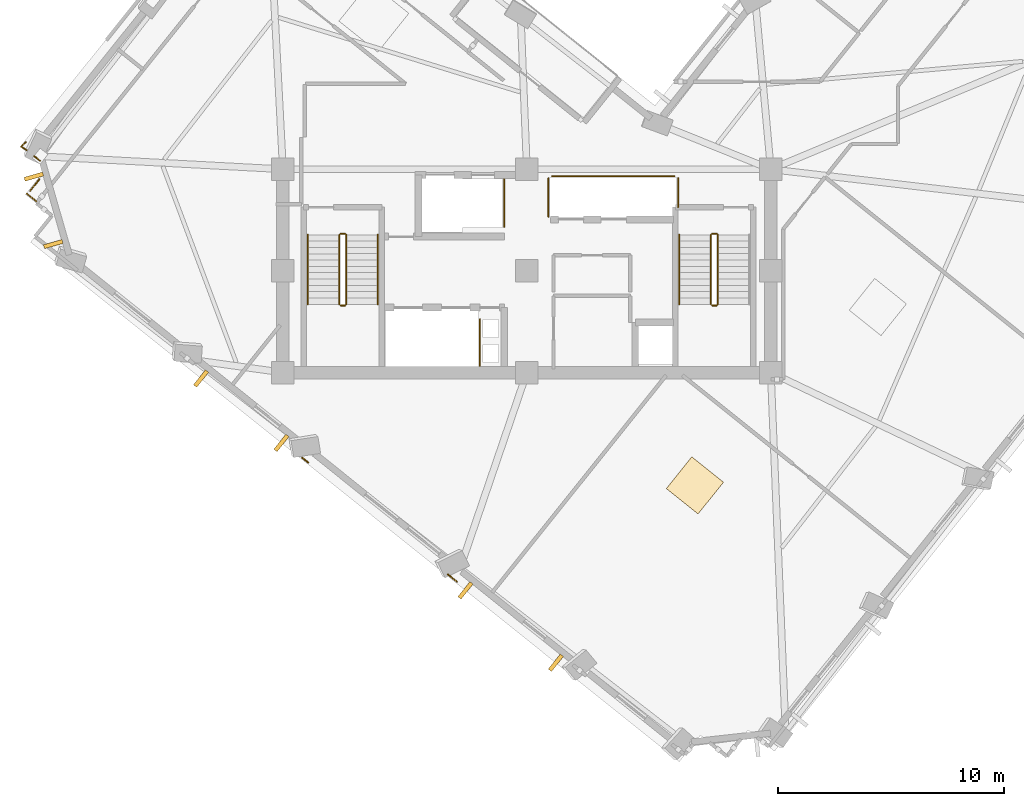
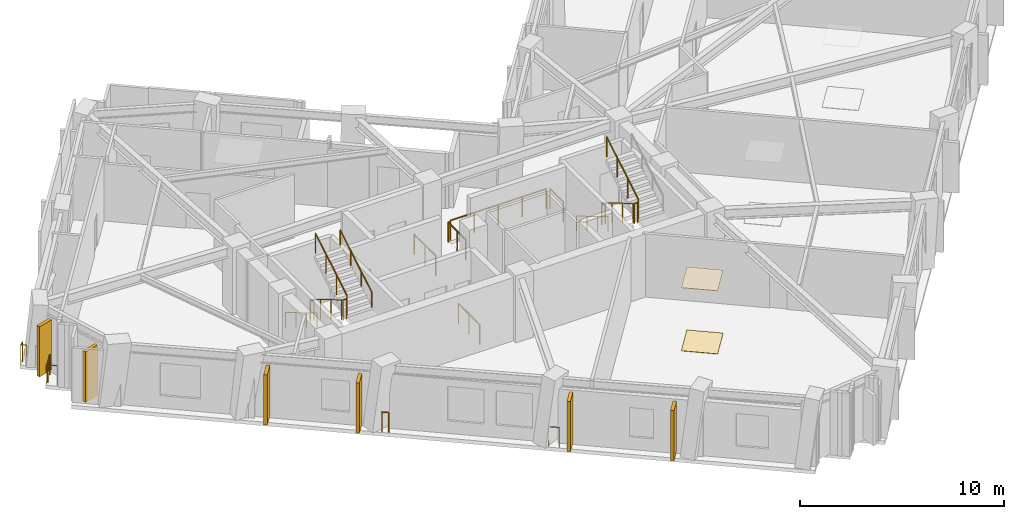
# One storey, part 8 of 10: 22 railings, 6 shading devices, 2 coverings.
"""IFC4 building model written with IfcOpenShell, lengths in metres."""

from ifc_helpers import new_model, si_unit, direction, frame, origin, origin_2d, place, context, subcontext, project, spatial, rectangle, circle, extrude, material, layer, layer_set, type_object, element, save


model = new_model("IFC4")

# Units and contexts
model_context = context("Model", 3, precision=1e-05, world=origin(), true_north=direction((0.0, 1.0)))
body_context = subcontext(model_context, "Body", "Model", "MODEL_VIEW")
ifc_project = project(units=[si_unit("LENGTHUNIT", "METRE"), si_unit("AREAUNIT", "SQUARE_METRE"), si_unit("VOLUMEUNIT", "CUBIC_METRE"), si_unit("PLANEANGLEUNIT", "RADIAN"), si_unit("MASSUNIT", "GRAM", prefix="KILO")], contexts=[model_context])

# Site, building, storey
site_placement = place(None, origin())
site = spatial("IfcSite", under=ifc_project, at=site_placement, CompositionType="ELEMENT")
building_placement = place(site_placement, origin())
building = spatial("IfcBuilding", under=site, at=building_placement, Name="Gaonmaruhae Medical Tower", CompositionType="ELEMENT")
storey_placement = place(building_placement, frame((0.0, 0.0, 243.199951171875)))
storey = spatial("IfcBuildingStorey", under=building, at=storey_placement, Name="L58", CompositionType="ELEMENT", Elevation=243.199951171875)

# Coverings
ifc_material_1 = material(Name="Acoustic mineral ceiling tile", Category="finish")
ifc_layer_1 = layer(ifc_material_1, 0.02490234375)
ifc_layer_set_1 = layer_set([ifc_layer_1], Name="Acoustic mineral ceiling tile")
covering_type_1 = type_object("IfcCoveringType", Name="CLG-01 Antimicrobial Acoustic Mineral Ceiling", PredefinedType="CEILING", material=ifc_layer_set_1)
covering_1_placement = place(storey_placement, frame((32.23974609375, 2.805419921875, 3.755126953125), z_axis=(0.0, 0.0, 1.0), x_axis=(0.625242656336, 0.780430407338, 0.0)))
element("IfcCovering", 1, at=covering_1_placement, inside=storey, type_object=covering_type_1, Name="L58 Clinical Room Acoustic Ceiling 2", PredefinedType="CEILING", context=body_context, shape_type="SweptSolid", body=[
    extrude(rectangle(XDim=1.800048828125, YDim=1.800048828125, at=origin_2d()), origin(), (0.0, 0.0, 1.0), 0.02490234375),
])
ifc_material_2 = material(Name="Seamless clinical vinyl flooring", Category="finish")
ifc_layer_2 = layer(ifc_material_2, 0.014892578125)
ifc_layer_set_2 = layer_set([ifc_layer_2], Name="Seamless clinical vinyl flooring")
covering_type_2 = type_object("IfcCoveringType", Name="FLR-01 Seamless Clinical Antistatic Vinyl Flooring", PredefinedType="FLOORING", material=ifc_layer_set_2)
covering_2_placement = place(storey_placement, frame((32.23974609375, 2.805419921875, 0.0), z_axis=(0.0, 0.0, 1.0), x_axis=(0.625242656336, 0.780430407338, 0.0)))
element("IfcCovering", 2, at=covering_2_placement, inside=storey, type_object=covering_type_2, Name="L58 Clinical Room Vinyl Flooring 2", PredefinedType="FLOORING", context=body_context, shape_type="SweptSolid", body=[
    extrude(rectangle(XDim=1.800048828125, YDim=1.800048828125, at=origin_2d()), origin(), (0.0, 0.0, 1.0), 0.014892578125),
])

# Railings
ifc_material_3 = material(Name="Stainless steel 316L and laminated safety glass", Category="steel")
ifc_layer_3 = layer(ifc_material_3, 0.080078125)
ifc_layer_set_3 = layer_set([ifc_layer_3], Name="Stainless steel 316L and laminated safety glass")
railing_type_1 = type_object("IfcRailingType", Name="GD-120 Outdoor Terrace Safety Glass & Steel Balustrade", PredefinedType="BALUSTRADE", material=ifc_layer_set_3)
railing_1_placement = place(storey_placement, frame((21.705078125, -1.458251953125, 0.0)))
element("IfcRailing", 3, at=railing_1_placement, inside=storey, type_object=railing_type_1, Name="L58 Perimeter Slab Edge Safety Balustrade 05", PredefinedType="BALUSTRADE", context=body_context, shape_type="SweptSolid", body=[
    extrude(circle(Radius=0.02392578125, at=origin_2d()), frame((0.0, 0.0, 1.17578125), z_axis=(-0.78045557179, 0.625211244671, 0.0), x_axis=(-0.625211244671, -0.78045557179, 0.0)), (0.0, 0.0, 1.0), 0.51904296875),
    extrude(circle(Radius=0.02099609375, at=origin_2d()), origin(), (0.0, 0.0, 1.0), 1.15185546875),
    extrude(circle(Radius=0.02099609375, at=origin_2d()), frame((-0.405029296875, 0.324462890625, 0.0)), (0.0, 0.0, 1.0), 1.15185546875),
])
railing_2_placement = place(storey_placement, frame((15.12060546875, 3.81689453125, 0.0)))
element("IfcRailing", 4, at=railing_2_placement, inside=storey, type_object=railing_type_1, Name="L58 Perimeter Slab Edge Safety Balustrade 06", PredefinedType="BALUSTRADE", context=body_context, shape_type="SweptSolid", body=[
    extrude(circle(Radius=0.02392578125, at=origin_2d()), frame((0.0, 0.0, 1.17578125), z_axis=(-0.780447962423, 0.625220743378, 0.0), x_axis=(-0.625220743378, -0.780447962423, 0.0)), (0.0, 0.0, 1.0), 0.33984375),
    extrude(circle(Radius=0.02099609375, at=origin_2d()), origin(), (0.0, 0.0, 1.0), 1.15185546875),
    extrude(circle(Radius=0.02099609375, at=origin_2d()), frame((-0.26513671875, 0.21240234375, 0.0)), (0.0, 0.0, 1.0), 1.15185546875),
])
railing_3_placement = place(storey_placement, frame((3.089599609375, 15.377685546875, 0.0)))
element("IfcRailing", 5, at=railing_3_placement, inside=storey, type_object=railing_type_1, Name="L58 Perimeter Slab Edge Safety Balustrade 07", PredefinedType="BALUSTRADE", context=body_context, shape_type="SweptSolid", body=[
    extrude(circle(Radius=0.02392578125, at=origin_2d()), frame((0.0, 0.0, 1.17578125), z_axis=(-0.780443260786, 0.625226612272, 0.0), x_axis=(-0.625226612272, -0.780443260786, 0.0)), (0.0, 0.0, 1.0), 0.56005859375),
    extrude(circle(Radius=0.02099609375, at=origin_2d()), origin(), (0.0, 0.0, 1.0), 1.15185546875),
    extrude(circle(Radius=0.02099609375, at=origin_2d()), frame((-0.43701171875, 0.35009765625, 0.0)), (0.0, 0.0, 1.0), 1.15185546875),
])
railing_4_placement = place(storey_placement, frame((2.80615234375, 15.839599609375, 0.0)))
element("IfcRailing", 6, at=railing_4_placement, inside=storey, type_object=railing_type_1, Name="L58 Perimeter Slab Edge Safety Balustrade 08", PredefinedType="BALUSTRADE", context=body_context, shape_type="SweptSolid", body=[
    extrude(circle(Radius=0.02392578125, at=origin_2d()), frame((0.0, 0.0, 1.17578125), z_axis=(0.625326577288, 0.780363166569, 0.0), x_axis=(-0.780363166569, 0.625326577288, 0.0)), (0.0, 0.0, 1.0), 0.659912109375),
    extrude(circle(Radius=0.02099609375, at=origin_2d()), origin(), (0.0, 0.0, 1.0), 1.15185546875),
    extrude(circle(Radius=0.02099609375, at=origin_2d()), frame((0.41259765625, 0.514892578125, 0.0)), (0.0, 0.0, 1.0), 1.15185546875),
])
railing_5_placement = place(storey_placement, frame((3.2470703125, 17.17333984375, 0.0)))
element("IfcRailing", 7, at=railing_5_placement, inside=storey, type_object=railing_type_1, Name="L58 Perimeter Slab Edge Safety Balustrade 09", PredefinedType="BALUSTRADE", context=body_context, shape_type="SweptSolid", body=[
    extrude(circle(Radius=0.02392578125, at=origin_2d()), frame((0.0, 0.0, 1.17578125), z_axis=(-0.780504338049, 0.625150364542, 0.0), x_axis=(-0.625150364542, -0.780504338049, 0.0)), (0.0, 0.0, 1.0), 0.326904296875),
    extrude(circle(Radius=0.02099609375, at=origin_2d()), origin(), (0.0, 0.0, 1.0), 1.15185546875),
    extrude(circle(Radius=0.02099609375, at=origin_2d()), frame((-0.255126953125, 0.204345703125, 0.0)), (0.0, 0.0, 1.0), 1.15185546875),
])
railing_6_placement = place(storey_placement, frame((2.65380859375, 17.648681640625, 0.0)))
element("IfcRailing", 8, at=railing_6_placement, inside=storey, type_object=railing_type_1, Name="L58 Perimeter Corner Safety Balustrade 13", PredefinedType="BALUSTRADE", context=body_context, shape_type="SweptSolid", body=[
    extrude(circle(Radius=0.02392578125, at=origin_2d()), frame((0.0, 0.0, 1.17578125), z_axis=(-0.850898582378, 0.525329993916, 0.0), x_axis=(-0.525329993916, -0.850898582378, 0.0)), (0.0, 0.0, 1.0), 0.287109375),
    extrude(circle(Radius=0.02392578125, at=origin_2d()), frame((-0.244384765625, 0.15087890625, 1.17578125), z_axis=(0.715978887819, 0.698121932185, 0.0), x_axis=(-0.698121932185, 0.715978887819, 0.0)), (0.0, 0.0, 1.0), 0.287109375),
    extrude(circle(Radius=0.02099609375, at=origin_2d()), origin(), (0.0, 0.0, 1.0), 1.15185546875),
    extrude(circle(Radius=0.02099609375, at=origin_2d()), frame((-0.244384765625, 0.15087890625, 0.0)), (0.0, 0.0, 1.0), 1.15185546875),
    extrude(circle(Radius=0.02099609375, at=origin_2d()), frame((-0.038818359375, 0.351318359375, 0.0)), (0.0, 0.0, 1.0), 1.15185546875),
])
ifc_material_4 = material(Name="Stainless steel 304 handrail", Category="steel")
railing_type_2 = type_object("IfcRailingType", Name="HR-092 Continuous Stainless Steel Stair Handrail", PredefinedType="HANDRAIL", material=ifc_material_4)
railing_7_placement = place(storey_placement, frame((15.10009765625, 13.89990234375, 0.166748046875)))
element("IfcRailing", 9, at=railing_7_placement, inside=storey, type_object=railing_type_2, Name="L58 ST-01 stair handrail 1", PredefinedType="HANDRAIL", context=body_context, shape_type="SweptSolid", body=[
    extrude(circle(Radius=0.02392578125, at=origin_2d()), frame((0.0, 0.0, 0.8759765625), z_axis=(0.0, -0.859290745958, 0.51148745235), x_axis=(1.0, 0.0, 0.0)), (0.0, 0.0, 1.0), 3.584228515625),
    extrude(circle(Radius=0.02099609375, at=origin_2d()), origin(), (0.0, 0.0, 1.0), 0.851806640625),
    extrude(circle(Radius=0.02099609375, at=origin_2d()), frame((0.0, -1.026611328125, 0.611083984375)), (0.0, 0.0, 1.0), 0.851806640625),
    extrude(circle(Radius=0.02099609375, at=origin_2d()), frame((0.0, -2.05322265625, 1.22216796875)), (0.0, 0.0, 1.0), 0.851806640625),
    extrude(circle(Radius=0.02099609375, at=origin_2d()), frame((0.0, -3.079833984375, 1.833251953125)), (0.0, 0.0, 1.0), 0.851806640625),
])
railing_8_placement = place(storey_placement, frame((18.199951171875, 10.820068359375, 2.166748046875)))
element("IfcRailing", 10, at=railing_8_placement, inside=storey, type_object=railing_type_2, Name="L58 ST-01 stair handrail 2", PredefinedType="HANDRAIL", context=body_context, shape_type="SweptSolid", body=[
    extrude(circle(Radius=0.02392578125, at=origin_2d()), frame((0.0, 0.0, 0.8759765625), z_axis=(0.0, 0.859290745958, 0.51148745235), x_axis=(-1.0, 0.0, 0.0)), (0.0, 0.0, 1.0), 3.584228515625),
    extrude(circle(Radius=0.02099609375, at=origin_2d()), origin(), (0.0, 0.0, 1.0), 0.851806640625),
    extrude(circle(Radius=0.02099609375, at=origin_2d()), frame((0.0, 1.026611328125, 0.611083984375)), (0.0, 0.0, 1.0), 0.851806640625),
    extrude(circle(Radius=0.02099609375, at=origin_2d()), frame((0.0, 2.05322265625, 1.22216796875)), (0.0, 0.0, 1.0), 0.851806640625),
    extrude(circle(Radius=0.02099609375, at=origin_2d()), frame((0.0, 3.079833984375, 1.833251953125)), (0.0, 0.0, 1.0), 0.851806640625),
])
railing_9_placement = place(storey_placement, frame((31.550048828125, 13.89990234375, 0.166748046875)))
element("IfcRailing", 11, at=railing_9_placement, inside=storey, type_object=railing_type_2, Name="L58 ST-02 stair handrail 1", PredefinedType="HANDRAIL", context=body_context, shape_type="SweptSolid", body=[
    extrude(circle(Radius=0.02392578125, at=origin_2d()), frame((0.0, 0.0, 0.8759765625), z_axis=(0.0, -0.859290745958, 0.51148745235), x_axis=(1.0, 0.0, 0.0)), (0.0, 0.0, 1.0), 3.584228515625),
    extrude(circle(Radius=0.02099609375, at=origin_2d()), origin(), (0.0, 0.0, 1.0), 0.851806640625),
    extrude(circle(Radius=0.02099609375, at=origin_2d()), frame((0.0, -1.026611328125, 0.611083984375)), (0.0, 0.0, 1.0), 0.851806640625),
    extrude(circle(Radius=0.02099609375, at=origin_2d()), frame((0.0, -2.05322265625, 1.22216796875)), (0.0, 0.0, 1.0), 0.851806640625),
    extrude(circle(Radius=0.02099609375, at=origin_2d()), frame((0.0, -3.079833984375, 1.833251953125)), (0.0, 0.0, 1.0), 0.851806640625),
])

# Shading devices
ifc_material_5 = material(Name="Pigmented coral precast concrete C45/55", Category="concrete")
shading_device_type = type_object("IfcShadingDeviceType", Name="SD-FIN1 Tower Vertical Coral Precast Shading Fin", PredefinedType="USERDEFINED", material=ifc_material_5)
for number, where, z_axis, x_axis, name in (
    (12, (3.83251953125, 13.487060546875, 0.132568359375), (0.0, 0.0, 1.0), (-0.277012801949, 0.960866227711, 0.0), "L58 Vertical Coral Precast Shading Fin N03"),
    (13, (2.9716796875, 16.4736328125, 0.132568359375), (0.0, 0.0, 1.0), (-0.277012801949, 0.960866227711, 0.0), "L58 Vertical Coral Precast Shading Fin N03B"),
    (14, (13.934814453125, 4.68359375, 0.132568359375), (0.0, 0.0, 1.0), (-0.780430407338, 0.625242656336, 0.0), "L58 Vertical Coral Precast Shading Fin W02"),
    (15, (10.37548828125, 7.53515625, 0.132568359375), (0.0, 0.0, 1.0), (-0.780430407338, 0.625242656336, 0.0), "L58 Vertical Coral Precast Shading Fin W02B"),
    (16, (26.082763671875, -5.048583984375, 0.12255859375), (0.0, 0.0, 1.0), (-0.780430407338, 0.625242656336, 0.0), "L58 Vertical Coral Precast Shading Fin W04"),
    (17, (22.0830078125, -1.84423828125, 0.12255859375), (0.0, 0.0, 1.0), (-0.780430407338, 0.625242656336, 0.0), "L58 Vertical Coral Precast Shading Fin W04B"),
):
    element("IfcShadingDevice", number, at=place(storey_placement, frame(where, z_axis=z_axis, x_axis=x_axis)), inside=storey, type_object=shading_device_type, Name=name, ObjectType="FIN", PredefinedType="USERDEFINED", context=body_context, shape_type="SweptSolid", body=[
        extrude(rectangle(XDim=0.179931640625, YDim=0.85009765625, at=origin_2d()), origin(), (0.0, 0.0, 1.0), 3.0),
    ])

# Railings
ifc_material_6 = material(Name="Stainless steel 304 balustrade", Category="steel")
railing_type_3 = type_object("IfcRailingType", Name="SG-112 Stair Well & Ramp Void Safety Balustrade", PredefinedType="BALUSTRADE", material=ifc_material_6)
railing_10_placement = place(storey_placement, frame((16.5, 13.89990234375, 0.166748046875)))
element("IfcRailing", 18, at=railing_10_placement, inside=storey, type_object=railing_type_3, Name="L58 ST-01 stair guard 1", PredefinedType="BALUSTRADE", context=body_context, shape_type="SweptSolid", body=[
    extrude(circle(Radius=0.02392578125, at=origin_2d()), frame((0.0, 0.0, 1.17578125), z_axis=(0.0, -0.859290745958, 0.51148745235), x_axis=(1.0, 0.0, 0.0)), (0.0, 0.0, 1.0), 3.584228515625),
    extrude(circle(Radius=0.02099609375, at=origin_2d()), origin(), (0.0, 0.0, 1.0), 1.15185546875),
    extrude(circle(Radius=0.02099609375, at=origin_2d()), frame((0.0, -1.026611328125, 0.611083984375)), (0.0, 0.0, 1.0), 1.15185546875),
    extrude(circle(Radius=0.02099609375, at=origin_2d()), frame((0.0, -2.05322265625, 1.22216796875)), (0.0, 0.0, 1.0), 1.15185546875),
    extrude(circle(Radius=0.02099609375, at=origin_2d()), frame((0.0, -3.079833984375, 1.833251953125)), (0.0, 0.0, 1.0), 1.15185546875),
])
railing_11_placement = place(storey_placement, frame((16.550048828125, 10.77001953125, 2.0)))
element("IfcRailing", 19, at=railing_11_placement, inside=storey, type_object=railing_type_3, Name="L58 ST-01 stair guard 2", PredefinedType="BALUSTRADE", context=body_context, shape_type="SweptSolid", body=[
    extrude(circle(Radius=0.02392578125, at=origin_2d()), frame((0.0, 0.0, 1.17578125), z_axis=(1.0, 0.0, 0.0), x_axis=(0.0, 1.0, 0.0)), (0.0, 0.0, 1.0), 0.199951171875),
    extrude(circle(Radius=0.02099609375, at=origin_2d()), origin(), (0.0, 0.0, 1.0), 1.15185546875),
    extrude(circle(Radius=0.02099609375, at=origin_2d()), frame((0.199951171875, 0.0, 0.0)), (0.0, 0.0, 1.0), 1.15185546875),
])
railing_12_placement = place(storey_placement, frame((16.800048828125, 10.820068359375, 2.166748046875)))
element("IfcRailing", 20, at=railing_12_placement, inside=storey, type_object=railing_type_3, Name="L58 ST-01 stair guard 3", PredefinedType="BALUSTRADE", context=body_context, shape_type="SweptSolid", body=[
    extrude(circle(Radius=0.02392578125, at=origin_2d()), frame((0.0, 0.0, 1.17578125), z_axis=(0.0, 0.859290745958, 0.51148745235), x_axis=(-1.0, 0.0, 0.0)), (0.0, 0.0, 1.0), 3.584228515625),
    extrude(circle(Radius=0.02099609375, at=origin_2d()), origin(), (0.0, 0.0, 1.0), 1.15185546875),
    extrude(circle(Radius=0.02099609375, at=origin_2d()), frame((0.0, 1.026611328125, 0.611083984375)), (0.0, 0.0, 1.0), 1.15185546875),
    extrude(circle(Radius=0.02099609375, at=origin_2d()), frame((0.0, 2.05322265625, 1.22216796875)), (0.0, 0.0, 1.0), 1.15185546875),
    extrude(circle(Radius=0.02099609375, at=origin_2d()), frame((0.0, 3.079833984375, 1.833251953125)), (0.0, 0.0, 1.0), 1.15185546875),
])
railing_13_placement = place(storey_placement, frame((16.550048828125, 13.949951171875, 0.0)))
element("IfcRailing", 21, at=railing_13_placement, inside=storey, type_object=railing_type_3, Name="L58 ST-01 stair guard 4", PredefinedType="BALUSTRADE", context=body_context, shape_type="SweptSolid", body=[
    extrude(circle(Radius=0.02392578125, at=origin_2d()), frame((0.0, 0.0, 1.17578125), z_axis=(1.0, 0.0, 0.0), x_axis=(0.0, 1.0, 0.0)), (0.0, 0.0, 1.0), 0.199951171875),
    extrude(circle(Radius=0.02099609375, at=origin_2d()), origin(), (0.0, 0.0, 1.0), 1.15185546875),
    extrude(circle(Radius=0.02099609375, at=origin_2d()), frame((0.199951171875, 0.0, 0.0)), (0.0, 0.0, 1.0), 1.15185546875),
])
railing_14_placement = place(storey_placement, frame((32.949951171875, 13.89990234375, 0.166748046875)))
element("IfcRailing", 22, at=railing_14_placement, inside=storey, type_object=railing_type_3, Name="L58 ST-02 stair guard 1", PredefinedType="BALUSTRADE", context=body_context, shape_type="SweptSolid", body=[
    extrude(circle(Radius=0.02392578125, at=origin_2d()), frame((0.0, 0.0, 1.17578125), z_axis=(0.0, -0.859290745958, 0.51148745235), x_axis=(1.0, 0.0, 0.0)), (0.0, 0.0, 1.0), 3.584228515625),
    extrude(circle(Radius=0.02099609375, at=origin_2d()), origin(), (0.0, 0.0, 1.0), 1.15185546875),
    extrude(circle(Radius=0.02099609375, at=origin_2d()), frame((0.0, -1.026611328125, 0.611083984375)), (0.0, 0.0, 1.0), 1.15185546875),
    extrude(circle(Radius=0.02099609375, at=origin_2d()), frame((0.0, -2.05322265625, 1.22216796875)), (0.0, 0.0, 1.0), 1.15185546875),
    extrude(circle(Radius=0.02099609375, at=origin_2d()), frame((0.0, -3.079833984375, 1.833251953125)), (0.0, 0.0, 1.0), 1.15185546875),
])
railing_15_placement = place(storey_placement, frame((33.0, 10.77001953125, 2.0)))
element("IfcRailing", 23, at=railing_15_placement, inside=storey, type_object=railing_type_3, Name="L58 ST-02 stair guard 2", PredefinedType="BALUSTRADE", context=body_context, shape_type="SweptSolid", body=[
    extrude(circle(Radius=0.02392578125, at=origin_2d()), frame((0.0, 0.0, 1.17578125), z_axis=(1.0, 0.0, 0.0), x_axis=(0.0, 1.0, 0.0)), (0.0, 0.0, 1.0), 0.199951171875),
    extrude(circle(Radius=0.02099609375, at=origin_2d()), origin(), (0.0, 0.0, 1.0), 1.15185546875),
    extrude(circle(Radius=0.02099609375, at=origin_2d()), frame((0.199951171875, 0.0, 0.0)), (0.0, 0.0, 1.0), 1.15185546875),
])
railing_16_placement = place(storey_placement, frame((33.25, 10.820068359375, 2.166748046875)))
element("IfcRailing", 24, at=railing_16_placement, inside=storey, type_object=railing_type_3, Name="L58 ST-02 stair guard 3", PredefinedType="BALUSTRADE", context=body_context, shape_type="SweptSolid", body=[
    extrude(circle(Radius=0.02392578125, at=origin_2d()), frame((0.0, 0.0, 1.17578125), z_axis=(0.0, 0.859290745958, 0.51148745235), x_axis=(-1.0, 0.0, 0.0)), (0.0, 0.0, 1.0), 3.584228515625),
    extrude(circle(Radius=0.02099609375, at=origin_2d()), origin(), (0.0, 0.0, 1.0), 1.15185546875),
    extrude(circle(Radius=0.02099609375, at=origin_2d()), frame((0.0, 1.026611328125, 0.611083984375)), (0.0, 0.0, 1.0), 1.15185546875),
    extrude(circle(Radius=0.02099609375, at=origin_2d()), frame((0.0, 2.05322265625, 1.22216796875)), (0.0, 0.0, 1.0), 1.15185546875),
    extrude(circle(Radius=0.02099609375, at=origin_2d()), frame((0.0, 3.079833984375, 1.833251953125)), (0.0, 0.0, 1.0), 1.15185546875),
])
railing_17_placement = place(storey_placement, frame((33.0, 13.949951171875, 0.0)))
element("IfcRailing", 25, at=railing_17_placement, inside=storey, type_object=railing_type_3, Name="L58 ST-02 stair guard 4", PredefinedType="BALUSTRADE", context=body_context, shape_type="SweptSolid", body=[
    extrude(circle(Radius=0.02392578125, at=origin_2d()), frame((0.0, 0.0, 1.17578125), z_axis=(1.0, 0.0, 0.0), x_axis=(0.0, 1.0, 0.0)), (0.0, 0.0, 1.0), 0.199951171875),
    extrude(circle(Radius=0.02099609375, at=origin_2d()), origin(), (0.0, 0.0, 1.0), 1.15185546875),
    extrude(circle(Radius=0.02099609375, at=origin_2d()), frame((0.199951171875, 0.0, 0.0)), (0.0, 0.0, 1.0), 1.15185546875),
])
railing_18_placement = place(storey_placement, frame((22.719970703125, 10.159912109375, 0.0)))
element("IfcRailing", 26, at=railing_18_placement, inside=storey, type_object=railing_type_3, Name="L58 Shaft Edge Safety Guard 14", PredefinedType="BALUSTRADE", context=body_context, shape_type="SweptSolid", body=[
    extrude(circle(Radius=0.02392578125, at=origin_2d()), frame((0.0, 0.0, 1.17578125), z_axis=(0.0, -1.0, 0.0), x_axis=(1.0, 0.0, 0.0)), (0.0, 0.0, 1.0), 2.06494140625),
    extrude(circle(Radius=0.02099609375, at=origin_2d()), origin(), (0.0, 0.0, 1.0), 1.15185546875),
    extrude(circle(Radius=0.02099609375, at=origin_2d()), frame((0.0, -1.032470703125, 0.0)), (0.0, 0.0, 1.0), 1.15185546875),
    extrude(circle(Radius=0.02099609375, at=origin_2d()), frame((0.0, -2.06494140625, 0.0)), (0.0, 0.0, 1.0), 1.15185546875),
])
railing_19_placement = place(storey_placement, frame((23.794921875, 16.35498046875, 0.0)))
element("IfcRailing", 27, at=railing_19_placement, inside=storey, type_object=railing_type_3, Name="L58 Shaft Edge Safety Guard 15", PredefinedType="BALUSTRADE", context=body_context, shape_type="SweptSolid", body=[
    extrude(circle(Radius=0.02392578125, at=origin_2d()), frame((0.0, 0.0, 1.17578125), z_axis=(0.0, -1.0, 0.0), x_axis=(1.0, 0.0, 0.0)), (0.0, 0.0, 1.0), 2.10986328125),
    extrude(circle(Radius=0.02099609375, at=origin_2d()), origin(), (0.0, 0.0, 1.0), 1.15185546875),
    extrude(circle(Radius=0.02099609375, at=origin_2d()), frame((0.0, -1.054931640625, 0.0)), (0.0, 0.0, 1.0), 1.15185546875),
    extrude(circle(Radius=0.02099609375, at=origin_2d()), frame((0.0, -2.10986328125, 0.0)), (0.0, 0.0, 1.0), 1.15185546875),
])
railing_20_placement = place(storey_placement, frame((31.4951171875, 16.405029296875, 0.0)))
element("IfcRailing", 28, at=railing_20_placement, inside=storey, type_object=railing_type_3, Name="L58 Shaft Edge Safety Guard 16", PredefinedType="BALUSTRADE", context=body_context, shape_type="SweptSolid", body=[
    extrude(circle(Radius=0.02392578125, at=origin_2d()), frame((0.0, 0.0, 1.17578125), z_axis=(0.0, -1.0, 0.0), x_axis=(1.0, 0.0, 0.0)), (0.0, 0.0, 1.0), 1.284912109375),
    extrude(circle(Radius=0.02099609375, at=origin_2d()), origin(), (0.0, 0.0, 1.0), 1.15185546875),
    extrude(circle(Radius=0.02099609375, at=origin_2d()), frame((0.0, -1.284912109375, 0.0)), (0.0, 0.0, 1.0), 1.15185546875),
])
railing_21_placement = place(storey_placement, frame((25.7548828125, 14.695068359375, 0.0)))
element("IfcRailing", 29, at=railing_21_placement, inside=storey, type_object=railing_type_3, Name="L58 Shaft Edge Safety Guard 17", PredefinedType="BALUSTRADE", context=body_context, shape_type="SweptSolid", body=[
    extrude(circle(Radius=0.02392578125, at=origin_2d()), frame((0.0, 0.0, 1.17578125), z_axis=(0.0, 1.0, 0.0), x_axis=(-1.0, 0.0, 0.0)), (0.0, 0.0, 1.0), 1.7099609375),
    extrude(circle(Radius=0.02099609375, at=origin_2d()), origin(), (0.0, 0.0, 1.0), 1.15185546875),
    extrude(circle(Radius=0.02099609375, at=origin_2d()), frame((0.0, 0.85498046875, 0.0)), (0.0, 0.0, 1.0), 1.15185546875),
    extrude(circle(Radius=0.02099609375, at=origin_2d()), frame((0.0, 1.7099609375, 0.0)), (0.0, 0.0, 1.0), 1.15185546875),
])
railing_22_placement = place(storey_placement, frame((25.919921875, 16.4951171875, 0.0)))
element("IfcRailing", 30, at=railing_22_placement, inside=storey, type_object=railing_type_3, Name="L58 Shaft Edge Safety Guard 18", PredefinedType="BALUSTRADE", context=body_context, shape_type="SweptSolid", body=[
    extrude(circle(Radius=0.02392578125, at=origin_2d()), frame((0.0, 0.0, 1.17578125), z_axis=(1.0, 0.0, 0.0), x_axis=(0.0, 1.0, 0.0)), (0.0, 0.0, 1.0), 5.41015625),
    extrude(circle(Radius=0.02099609375, at=origin_2d()), origin(), (0.0, 0.0, 1.0), 1.15185546875),
    extrude(circle(Radius=0.02099609375, at=origin_2d()), frame((1.3525390625, 0.0, 0.0)), (0.0, 0.0, 1.0), 1.15185546875),
    extrude(circle(Radius=0.02099609375, at=origin_2d()), frame((2.705078125, 0.0, 0.0)), (0.0, 0.0, 1.0), 1.15185546875),
    extrude(circle(Radius=0.02099609375, at=origin_2d()), frame((4.0576171875, 0.0, 0.0)), (0.0, 0.0, 1.0), 1.15185546875),
    extrude(circle(Radius=0.02099609375, at=origin_2d()), frame((5.41015625, 0.0, 0.0)), (0.0, 0.0, 1.0), 1.15185546875),
])

save(model, "model.ifc")
